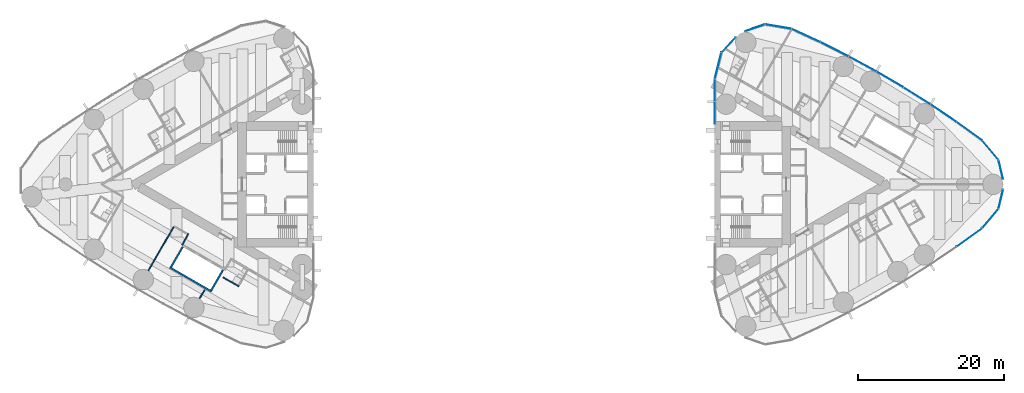
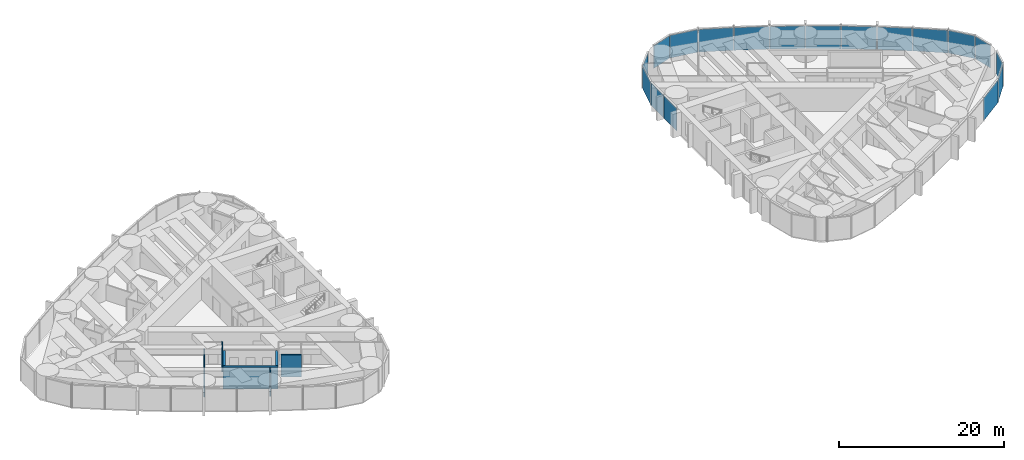
# One storey, part 11 of 19: 18 plates, 7 walls, 3 elements without a shape of their own.
"""IFC4 building model written with IfcOpenShell, lengths in metres."""

from ifc_helpers import new_model, si_unit, direction, frame, frame_2d, origin, origin_2d, place, context, subcontext, project, spatial, rectangle, extrude, material, layer, layer_set, type_object, element, aggregate, save


model = new_model("IFC4")

# Units and contexts
model_context = context("Model", 3, precision=1e-05, world=origin(), true_north=direction((0.0, 1.0)))
body_context = subcontext(model_context, "Body", "Model", "MODEL_VIEW")
ifc_project = project(units=[si_unit("LENGTHUNIT", "METRE"), si_unit("AREAUNIT", "SQUARE_METRE"), si_unit("VOLUMEUNIT", "CUBIC_METRE"), si_unit("PLANEANGLEUNIT", "RADIAN"), si_unit("MASSUNIT", "GRAM", prefix="KILO")], contexts=[model_context])

# Site, building, storey
site_placement = place(None, origin())
site = spatial("IfcSite", under=ifc_project, at=site_placement, CompositionType="ELEMENT")
building_placement = place(site_placement, origin())
building = spatial("IfcBuilding", under=site, at=building_placement, Name="Lancet Gate Hotel", CompositionType="ELEMENT")
storey_placement = place(building_placement, frame((0.0, 0.0, 173.800048828125)))
storey = spatial("IfcBuildingStorey", under=building, at=storey_placement, Name="L46", CompositionType="ELEMENT", Elevation=173.800048828125)

# Curtain wall, plates
ifc_material_1 = material(Name="Aluminium curtain wall", Category="aluminium")
curtain_wall_type = type_object("IfcCurtainWallType", Name="Tower unitised curtain wall", PredefinedType="USERDEFINED", material=ifc_material_1)
curtain_wall_1_placement = place(storey_placement, origin())
curtain_wall_1 = element("IfcCurtainWall", 1, at=curtain_wall_1_placement, inside=storey, type_object=curtain_wall_type, Name="T2 L46 curtain wall 2", ObjectType="UNITISED CURTAIN WALL", PredefinedType="USERDEFINED")
ifc_material_2 = material(Name="Glass double glazed unit 8-16-6", Category="glass")
ifc_layer_1 = layer(ifc_material_2, 0.030029296875)
ifc_layer_set_1 = layer_set([ifc_layer_1], Name="Vision panel double glazed")
plate_type = type_object("IfcPlateType", Name="Vision panel double glazed", PredefinedType="CURTAIN_PANEL", material=ifc_layer_set_1)
plate_1_placement = place(storey_placement, frame((62.417236328125, -7.279541015625, 0.0), z_axis=(0.0, 0.0, 1.0), x_axis=(0.810891442127, 0.585196607206, 0.0)))
plate_1 = element("IfcPlate", 2, at=plate_1_placement, type_object=plate_type, Name="T2 L46 curtain wall 2 panel 9", PredefinedType="CURTAIN_PANEL", context=body_context, shape_type="SweptSolid", body=[
    extrude(rectangle(XDim=4.26904296875, YDim=0.030029296875, at=origin_2d()), origin(), (0.0, 0.0, 1.0), 3.35009765625),
])
plate_2_placement = place(storey_placement, frame((65.283935546875, -4.68701171875, 0.0), z_axis=(0.0, 0.0, 1.0), x_axis=(0.642198636854, 0.766538264422, 0.0)))
plate_2 = element("IfcPlate", 3, at=plate_2_placement, type_object=plate_type, Name="T2 L46 curtain wall 2 panel 10", PredefinedType="CURTAIN_PANEL", context=body_context, shape_type="SweptSolid", body=[
    extrude(rectangle(XDim=3.390380859375, YDim=0.030029296875, at=origin_2d()), origin(), (0.0, 0.0, 1.0), 3.35009765625),
])
plate_3_placement = place(storey_placement, frame((66.710693359375, -2.0234375, 0.0), z_axis=(0.0, 0.0, 1.0), x_axis=(0.230366568544, 0.973103922558, 0.0)))
plate_3 = element("IfcPlate", 4, at=plate_3_placement, type_object=plate_type, Name="T2 L46 curtain wall 2 panel 11", PredefinedType="CURTAIN_PANEL", context=body_context, shape_type="SweptSolid", body=[
    extrude(rectangle(XDim=2.687255859375, YDim=0.030029296875, at=origin_2d()), origin(), (0.0, 0.0, 1.0), 3.35009765625),
])
aggregate(curtain_wall_1, [plate_1, plate_2, plate_3])

curtain_wall_2_placement = place(storey_placement, origin())
curtain_wall_2 = element("IfcCurtainWall", 5, at=curtain_wall_2_placement, inside=storey, type_object=curtain_wall_type, Name="T2 L46 curtain wall 3", ObjectType="UNITISED CURTAIN WALL", PredefinedType="USERDEFINED")
plate_4_placement = place(storey_placement, frame((66.710693359375, 2.0234375, 0.0), z_axis=(0.0, 0.0, 1.0), x_axis=(-0.230366568544, 0.973103922558, 0.0)))
plate_4 = element("IfcPlate", 6, at=plate_4_placement, type_object=plate_type, Name="T2 L46 curtain wall 3 panel 1", PredefinedType="CURTAIN_PANEL", context=body_context, shape_type="SweptSolid", body=[
    extrude(rectangle(XDim=2.687255859375, YDim=0.030029296875, at=origin_2d()), origin(), (0.0, 0.0, 1.0), 3.35009765625),
])
plate_5_placement = place(storey_placement, frame((65.283935546875, 4.68701171875, 0.0), z_axis=(0.0, 0.0, 1.0), x_axis=(-0.642198636854, 0.766538264422, 0.0)))
plate_5 = element("IfcPlate", 7, at=plate_5_placement, type_object=plate_type, Name="T2 L46 curtain wall 3 panel 2", PredefinedType="CURTAIN_PANEL", context=body_context, shape_type="SweptSolid", body=[
    extrude(rectangle(XDim=3.390380859375, YDim=0.030029296875, at=origin_2d()), origin(), (0.0, 0.0, 1.0), 3.35009765625),
])
plate_6_placement = place(storey_placement, frame((62.417236328125, 7.279541015625, 0.0), z_axis=(0.0, 0.0, 1.0), x_axis=(-0.810891442127, 0.585196607206, 0.0)))
plate_6 = element("IfcPlate", 8, at=plate_6_placement, type_object=plate_type, Name="T2 L46 curtain wall 3 panel 3", PredefinedType="CURTAIN_PANEL", context=body_context, shape_type="SweptSolid", body=[
    extrude(rectangle(XDim=4.26904296875, YDim=0.030029296875, at=origin_2d()), origin(), (0.0, 0.0, 1.0), 3.35009765625),
])
plate_7_placement = place(storey_placement, frame((58.863525390625, 9.75927734375, 0.0), z_axis=(0.0, 0.0, 1.0), x_axis=(-0.829038793948, 0.559191092677, 0.0)))
plate_7 = element("IfcPlate", 9, at=plate_7_placement, type_object=plate_type, Name="T2 L46 curtain wall 3 panel 4", PredefinedType="CURTAIN_PANEL", context=body_context, shape_type="SweptSolid", body=[
    extrude(rectangle(XDim=4.26904296875, YDim=0.030029296875, at=origin_2d()), origin(), (0.0, 0.0, 1.0), 3.35009765625),
])
plate_8_placement = place(storey_placement, frame((55.233154296875, 12.125244140625, 0.0), z_axis=(0.0, 0.0, 1.0), x_axis=(-0.846352453444, 0.532623248225, 0.0)))
plate_8 = element("IfcPlate", 10, at=plate_8_placement, type_object=plate_type, Name="T2 L46 curtain wall 3 panel 5", PredefinedType="CURTAIN_PANEL", context=body_context, shape_type="SweptSolid", body=[
    extrude(rectangle(XDim=4.26904296875, YDim=0.030029296875, at=origin_2d()), origin(), (0.0, 0.0, 1.0), 3.35009765625),
])
plate_9_placement = place(storey_placement, frame((51.529296875, 14.374755859375, 0.0), z_axis=(0.0, 0.0, 1.0), x_axis=(-0.862815009772, 0.505519790822, 0.0)))
plate_9 = element("IfcPlate", 11, at=plate_9_placement, type_object=plate_type, Name="T2 L46 curtain wall 3 panel 6", PredefinedType="CURTAIN_PANEL", context=body_context, shape_type="SweptSolid", body=[
    extrude(rectangle(XDim=4.26904296875, YDim=0.030029296875, at=origin_2d()), origin(), (0.0, 0.0, 1.0), 3.35009765625),
])
plate_10_placement = place(storey_placement, frame((47.756103515625, 16.505859375, 0.0), z_axis=(0.0, 0.0, 1.0), x_axis=(-0.878409907967, 0.477907976063, 0.0)))
plate_10 = element("IfcPlate", 12, at=plate_10_placement, type_object=plate_type, Name="T2 L46 curtain wall 3 panel 7", PredefinedType="CURTAIN_PANEL", context=body_context, shape_type="SweptSolid", body=[
    extrude(rectangle(XDim=4.26904296875, YDim=0.030029296875, at=origin_2d()), origin(), (0.0, 0.0, 1.0), 3.35009765625),
])
plate_11_placement = place(storey_placement, frame((43.917236328125, 18.516357421875, 0.0), z_axis=(0.0, 0.0, 1.0), x_axis=(-0.893121465596, 0.449815570752, 0.0)))
plate_11 = element("IfcPlate", 13, at=plate_11_placement, type_object=plate_type, Name="T2 L46 curtain wall 3 panel 8", PredefinedType="CURTAIN_PANEL", context=body_context, shape_type="SweptSolid", body=[
    extrude(rectangle(XDim=4.26904296875, YDim=0.030029296875, at=origin_2d()), origin(), (0.0, 0.0, 1.0), 3.35009765625),
])
plate_12_placement = place(storey_placement, frame((40.0166015625, 20.40380859375, 0.0), z_axis=(0.0, 0.0, 1.0), x_axis=(-0.906934888522, 0.421270824982, 0.0)))
plate_12 = element("IfcPlate", 14, at=plate_12_placement, type_object=plate_type, Name="T2 L46 curtain wall 3 panel 9", PredefinedType="CURTAIN_PANEL", context=body_context, shape_type="SweptSolid", body=[
    extrude(rectangle(XDim=4.26904296875, YDim=0.030029296875, at=origin_2d()), origin(), (0.0, 0.0, 1.0), 3.35009765625),
])
plate_13_placement = place(storey_placement, frame((36.231689453125, 21.629638671875, 0.0), z_axis=(0.0, 0.0, 1.0), x_axis=(-0.985539649572, 0.169444973729, 0.0)))
plate_13 = element("IfcPlate", 15, at=plate_13_placement, type_object=plate_type, Name="T2 L46 curtain wall 3 panel 10", PredefinedType="CURTAIN_PANEL", context=body_context, shape_type="SweptSolid", body=[
    extrude(rectangle(XDim=3.62744140625, YDim=0.030029296875, at=origin_2d()), origin(), (0.0, 0.0, 1.0), 3.35009765625),
])
plate_14_placement = place(storey_placement, frame((33.02197265625, 21.470703125, 0.0), z_axis=(0.0, 0.0, 1.0), x_axis=(-0.946952368511, -0.321373943827, 0.0)))
plate_14 = element("IfcPlate", 16, at=plate_14_placement, type_object=plate_type, Name="T2 L46 curtain wall 3 panel 11", PredefinedType="CURTAIN_PANEL", context=body_context, shape_type="SweptSolid", body=[
    extrude(rectangle(XDim=2.871337890625, YDim=0.030029296875, at=origin_2d()), origin(), (0.0, 0.0, 1.0), 3.35009765625),
])
aggregate(curtain_wall_2, [plate_4, plate_5, plate_6, plate_7, plate_8, plate_9, plate_10, plate_11, plate_12, plate_13, plate_14])

curtain_wall_3_placement = place(storey_placement, origin())
curtain_wall_3 = element("IfcCurtainWall", 17, at=curtain_wall_3_placement, inside=storey, type_object=curtain_wall_type, Name="T2 L46 curtain wall 4", ObjectType="UNITISED CURTAIN WALL", PredefinedType="USERDEFINED")
plate_15_placement = place(storey_placement, frame((29.4052734375, 19.122314453125, 0.0), z_axis=(0.0, 0.0, 1.0), x_axis=(-0.67883123083, -0.734294327943, 0.0)))
plate_15 = element("IfcPlate", 18, at=plate_15_placement, type_object=plate_type, Name="T2 L46 curtain wall 4 panel 1", PredefinedType="CURTAIN_PANEL", context=body_context, shape_type="SweptSolid", body=[
    extrude(rectangle(XDim=2.87060546875, YDim=0.030029296875, at=origin_2d()), origin(), (0.0, 0.0, 1.0), 3.35009765625),
])
plate_16_placement = place(storey_placement, frame((27.95458984375, 16.2548828125, 0.0), z_axis=(0.0, 0.0, 1.0), x_axis=(-0.246166705764, -0.969227503207, 0.0)))
plate_16 = element("IfcPlate", 19, at=plate_16_placement, type_object=plate_type, Name="T2 L46 curtain wall 4 panel 2", PredefinedType="CURTAIN_PANEL", context=body_context, shape_type="SweptSolid", body=[
    extrude(rectangle(XDim=3.62744140625, YDim=0.030029296875, at=origin_2d()), origin(), (0.0, 0.0, 1.0), 3.35009765625),
])
plate_17_placement = place(storey_placement, frame((27.5, 12.899169921875, 0.0), z_axis=(0.0, 0.0, 1.0), x_axis=(0.0, -1.0, 0.0)))
plate_17 = element("IfcPlate", 20, at=plate_17_placement, type_object=plate_type, Name="T2 L46 curtain wall 4 panel 3", PredefinedType="CURTAIN_PANEL", context=body_context, shape_type="SweptSolid", body=[
    extrude(rectangle(XDim=3.06787109375, YDim=0.030029296875, at=origin_2d()), origin(), (0.0, 0.0, 1.0), 3.35009765625),
])
plate_18_placement = place(storey_placement, frame((27.5, 9.766357421875, 0.0), z_axis=(0.0, 0.0, 1.0), x_axis=(0.0, -1.0, 0.0)))
plate_18 = element("IfcPlate", 21, at=plate_18_placement, type_object=plate_type, Name="T2 L46 curtain wall 4 panel 4", PredefinedType="CURTAIN_PANEL", context=body_context, shape_type="SweptSolid", body=[
    extrude(rectangle(XDim=3.06787109375, YDim=0.030029296875, at=origin_2d()), origin(), (0.0, 0.0, 1.0), 3.35009765625),
])
aggregate(curtain_wall_3, [plate_15, plate_16, plate_17, plate_18])

# Walls
ifc_material_3 = material(Name="Moisture resistant board partition")
ifc_layer_2 = layer(ifc_material_3, 0.14990234375)
ifc_layer_set_2 = layer_set([ifc_layer_2], Name="Bathroom wall 150")
wall_type_1 = type_object("IfcWallType", Name="Bathroom wall 150", PredefinedType="PARTITIONING", material=ifc_layer_set_2)
wall_1_placement = place(storey_placement, frame((-37.738037109375, -13.9892578125, 0.0), z_axis=(0.0, 0.0, 1.0), x_axis=(-0.86604923931, 0.499958713387, 0.0)))
element("IfcWall", 22, at=wall_1_placement, inside=storey, type_object=wall_type_1, Name="T1 bathroom wall 150 L46", PredefinedType="PARTITIONING", context=body_context, shape_type="SweptSolid", body=[
    extrude(rectangle(XDim=2.474853515625, YDim=0.14990234375, at=frame_2d((1.2373046875, 0.0))), origin(), (0.0, 0.0, 1.0), 3.25),
])
ifc_material_4 = material(Name="Gypsum board partition")
ifc_layer_3 = layer(ifc_material_4, 0.25)
ifc_layer_set_3 = layer_set([ifc_layer_3], Name="Lift shaft partition 250")
wall_type_2 = type_object("IfcWallType", Name="Lift shaft partition 250", PredefinedType="PARTITIONING", material=ifc_layer_set_3)
wall_2_placement = place(storey_placement, frame((-41.482421875, -14.685791015625, 0.0), z_axis=(0.0, 0.0, 1.0), x_axis=(-0.86603344179, 0.499986077507, 0.0)))
element("IfcWall", 23, at=wall_2_placement, inside=storey, type_object=wall_type_2, Name="T1 lift shaft wall HL L46", PredefinedType="PARTITIONING", context=body_context, shape_type="SweptSolid", body=[
    extrude(rectangle(XDim=6.600341796875, YDim=0.25, at=frame_2d((3.30029296875, 0.0))), origin(), (0.0, 0.0, 1.0), 3.25),
])
for number, where, z_axis, x_axis, name in (
    (24, (-39.92822265625, -11.742919921875, 0.0), (0.0, 0.0, 1.0), (-0.499929347863, -0.866066190972, 0.0), "T1 lift shaft wall HL L46"),
    (25, (-45.427734375, -8.568115234375, 0.0), (0.0, 0.0, 1.0), (-0.499929347863, -0.866066190972, 0.0), "T1 lift shaft wall HL L46"),
):
    element("IfcWall", number, at=place(storey_placement, frame(where, z_axis=z_axis, x_axis=x_axis)), inside=storey, type_object=wall_type_2, Name=name, PredefinedType="PARTITIONING", context=body_context, shape_type="SweptSolid", body=[
        extrude(rectangle(XDim=3.20068359375, YDim=0.25, at=frame_2d((1.600341796875, 0.0))), origin(), (0.0, 0.0, 1.0), 3.25),
    ])
ifc_material_5 = material(Name="Gypsum board partition")
ifc_layer_4 = layer(ifc_material_5, 0.14990234375)
ifc_layer_set_4 = layer_set([ifc_layer_4], Name="Party wall 150")
wall_type_3 = type_object("IfcWallType", Name="Party wall 150", PredefinedType="PARTITIONING", material=ifc_layer_set_4)
wall_3_placement = place(storey_placement, frame((-46.6787109375, -5.8251953125, 0.0), z_axis=(0.0, 0.0, 1.0), x_axis=(-0.500006839597, -0.866021454905, 0.0)))
element("IfcWall", 26, at=wall_3_placement, inside=storey, type_object=wall_type_3, Name="T1 party wall 150 L46", PredefinedType="PARTITIONING", context=body_context, shape_type="SweptSolid", body=[
    extrude(rectangle(XDim=6.9111328125, YDim=0.14990234375, at=frame_2d((3.45556640625, 0.0))), origin(), (0.0, 0.0, 1.0), 2.300048828125),
])
wall_4_placement = place(storey_placement, frame((-42.429443359375, -14.45654296875, 0.0), z_axis=(0.0, 0.0, 1.0), x_axis=(-0.5000578829, -0.865991982497, 0.0)))
element("IfcWall", 27, at=wall_4_placement, inside=storey, type_object=wall_type_3, Name="T1 party wall 150 L46", PredefinedType="PARTITIONING", context=body_context, shape_type="SweptSolid", body=[
    extrude(rectangle(XDim=1.406982421875, YDim=0.14990234375, at=frame_2d((0.70361328125, 0.0))), origin(), (0.0, 0.0, 1.0), 3.25),
])
ifc_material_6 = material(Name="Gypsum board partition")
ifc_layer_5 = layer(ifc_material_6, 0.14990234375)
ifc_layer_set_5 = layer_set([ifc_layer_5], Name="Service room wall 150")
wall_type_4 = type_object("IfcWallType", Name="Service room wall 150", PredefinedType="PARTITIONING", material=ifc_layer_set_5)
wall_5_placement = place(storey_placement, frame((-44.652099609375, -6.764404296875, 0.0), z_axis=(0.0, 0.0, 1.0), x_axis=(-0.485424724123, -0.874278466629, 0.0)))
element("IfcWall", 28, at=wall_5_placement, inside=storey, type_object=wall_type_4, Name="T1 service room wall 150 L46", PredefinedType="PARTITIONING", context=body_context, shape_type="SweptSolid", body=[
    extrude(rectangle(XDim=1.80517578125, YDim=0.14990234375, at=frame_2d((0.902587890625, 0.0))), origin(), (0.0, 0.0, 1.0), 3.25),
])

save(model, "model.ifc")
